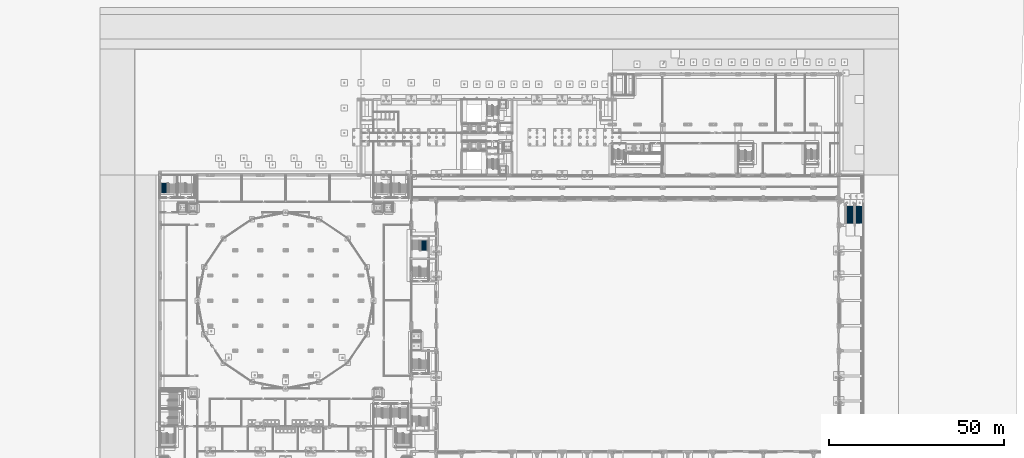
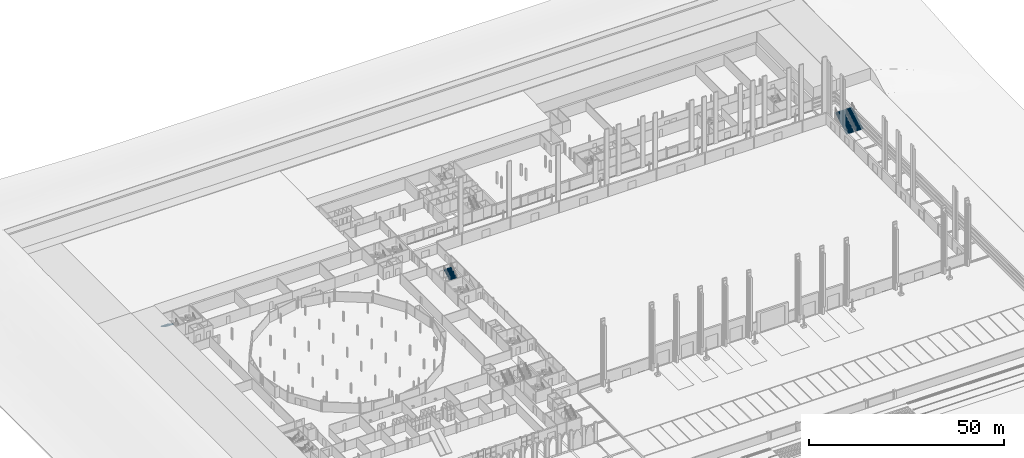
# One storey, part 101 of 148: 4 stair flights, 4 elements without a shape of their own.
"""IFC4 building model written with IfcOpenShell, lengths in metres."""

from ifc_helpers import new_model, si_unit, direction, frame, origin, place, context, subcontext, project, spatial, polyline, outline, extrude, material, type_object, element, aggregate, save


model = new_model("IFC4")

# Units and contexts
model_context = context("Model", 3, precision=1e-05, world=origin(), true_north=direction((0.0, 1.0)))
body_context = subcontext(model_context, "Body", "Model", "MODEL_VIEW")
ifc_project = project(units=[si_unit("LENGTHUNIT", "METRE"), si_unit("AREAUNIT", "SQUARE_METRE"), si_unit("VOLUMEUNIT", "CUBIC_METRE"), si_unit("PLANEANGLEUNIT", "RADIAN"), si_unit("MASSUNIT", "GRAM", prefix="KILO")], contexts=[model_context])

# Site, building, storey
site_placement = place(None, origin())
site = spatial("IfcSite", under=ifc_project, at=site_placement, CompositionType="ELEMENT")
building_placement = place(site_placement, origin())
building = spatial("IfcBuilding", under=site, at=building_placement, Name="Kupolbacken Congress Centre", CompositionType="ELEMENT")
storey_placement = place(building_placement, origin())
storey = spatial("IfcBuildingStorey", under=building, at=storey_placement, Name="L00", CompositionType="ELEMENT", Elevation=0.0)

# Stair, stair flight
ifc_material_1 = material(Name="Concrete C30/37", Category="concrete")
stair_type_1 = type_object("IfcStairType", Name="ST13 stair 2200", PredefinedType="TWO_STRAIGHT_RUN_STAIR", material=ifc_material_1)
stair_1_placement = place(storey_placement, origin())
stair_1 = element("IfcStair", 1, at=stair_1_placement, inside=storey, type_object=stair_type_1, Name="C/stair/PS1NW/L00", PredefinedType="NOTDEFINED")
ifc_material_2 = material(Name="Concrete C30/37", Category="concrete")
stair_flight_type_1 = type_object("IfcStairFlightType", Name="FL14 stair flight 2200 x 11 risers", PredefinedType="STRAIGHT", material=ifc_material_2)
stair_flight_1_placement = place(storey_placement, frame((8.5, 120.054931640625, 1.71435546875), z_axis=(0.0, 0.0, 1.0), x_axis=(0.0, -1.0, 0.0)))
stair_flight_1 = element("IfcStairFlight", 2, at=stair_flight_1_placement, type_object=stair_flight_type_1, Name="PS1NW flight 2", NumberOfRisers=11, NumberOfTreads=10, PredefinedType="STRAIGHT", RiserHeight=0.171428571, TreadLength=0.28, context=body_context, shape_type="SweptSolid", body=[
    extrude(outline(polyline([(0.0, 0.0), (0.0, 0.0009765625), (0.0, 0.002197265625), (0.0, 0.003173828125), (0.0, 0.004150390625), (0.0, 0.00537109375), (0.0, 0.00634765625), (0.0, 0.007568359375), (0.0, 0.008544921875), (0.0, 0.009521484375), (0.0, 0.0107421875), (0.0, 0.01171875), (0.0, 0.0126953125), (0.0, 0.013916015625), (0.0, 0.014892578125), (0.0, 0.015869140625), (0.0, 0.01708984375), (0.0, 0.01806640625), (0.0, 0.019287109375), (0.0, 0.020263671875), (0.0, 0.021240234375), (0.0, 0.0224609375), (0.0, 0.0234375), (0.0, 0.0244140625), (0.0, 0.025634765625), (0.0, 0.026611328125), (0.0, 0.027587890625), (0.0, 0.02880859375), (0.0, 0.02978515625), (0.0, 0.03076171875), (0.0, 0.031982421875), (0.0, 0.032958984375), (0.0, 0.0341796875), (0.0, 0.03515625), (0.0, 0.0361328125), (0.0, 0.037353515625), (0.0, 0.038330078125), (0.0, 0.039306640625), (0.0, 0.04052734375), (0.0, 0.04150390625), (0.0, 0.04248046875), (0.0, 0.043701171875), (0.0, 0.044677734375), (0.0, 0.0458984375), (0.0, 0.046875), (0.0, 0.0478515625), (0.0, 0.049072265625), (0.0, 0.050048828125), (0.0, 0.051025390625), (0.0, 0.05224609375), (0.0, 0.05322265625), (0.0, 0.05419921875), (0.0, 0.055419921875), (0.0, 0.056396484375), (0.0, 0.0576171875), (0.0, 0.05859375), (0.0, 0.0595703125), (0.0, 0.060791015625), (0.0, 0.061767578125), (0.0, 0.062744140625), (0.0, 0.06396484375), (0.0, 0.06494140625), (0.0, 0.06591796875), (0.0, 0.067138671875), (0.0, 0.068115234375), (0.0, 0.069091796875), (0.0, 0.0703125), (0.0, 0.0712890625), (0.0, 0.072509765625), (0.0, 0.073486328125), (0.0, 0.074462890625), (0.0, 0.07568359375), (0.0, 0.07666015625), (0.0, 0.07763671875), (0.0, 0.078857421875), (0.0, 0.079833984375), (0.0, 0.080810546875), (0.0, 0.08203125), (0.0, 0.0830078125), (0.0, 0.084228515625), (0.0, 0.085205078125), (0.0, 0.086181640625), (0.0, 0.08740234375), (0.0, 0.08837890625), (0.0, 0.08935546875), (0.0, 0.090576171875), (0.0, 0.091552734375), (0.0, 0.092529296875), (0.0, 0.09375), (0.0, 0.0947265625), (0.0, 0.095947265625), (0.0, 0.096923828125), (0.0, 0.097900390625), (0.0, 0.09912109375), (0.0, 0.10009765625), (0.0, 0.10107421875), (0.0, 0.102294921875), (0.0, 0.103271484375), (0.0, 0.104248046875), (0.0, 0.10546875), (0.0, 0.1064453125), (0.0, 0.107421875), (0.0, 0.108642578125), (0.0, 0.109619140625), (0.0, 0.11083984375), (0.0, 0.11181640625), (0.0, 0.11279296875), (0.0, 0.114013671875), (0.0, 0.114990234375), (0.0, 0.115966796875), (0.0, 0.1171875), (0.0, 0.1181640625), (0.0, 0.119140625), (0.0, 0.120361328125), (0.0, 0.121337890625), (0.0, 0.12255859375), (0.0, 0.12353515625), (0.0, 0.12451171875), (0.0, 0.125732421875), (0.0, 0.126708984375), (0.0, 0.127685546875), (0.0, 0.12890625), (0.0, 0.1298828125), (0.0, 0.130859375), (0.0, 0.132080078125), (0.0, 0.133056640625), (0.0, 0.13427734375), (0.0, 0.13525390625), (0.0, 0.13623046875), (0.0, 0.137451171875), (0.0, 0.138427734375), (0.0, 0.139404296875), (0.0, 0.140625), (0.0, 0.1416015625), (0.0, 0.142578125), (0.0, 0.143798828125), (0.0, 0.144775390625), (0.0, 0.145751953125), (0.0, 0.14697265625), (0.0, 0.14794921875), (0.0, 0.149169921875), (0.0, 0.150146484375), (0.0, 0.151123046875), (0.0, 0.15234375), (0.0, 0.1533203125), (0.0, 0.154296875), (0.0, 0.155517578125), (0.0, 0.156494140625), (0.0, 0.157470703125), (0.0, 0.15869140625), (0.0, 0.15966796875), (0.0, 0.160888671875), (0.0, 0.161865234375), (0.0, 0.162841796875), (0.0, 0.1640625), (0.0, 0.1650390625), (0.0, 0.166015625), (0.0, 0.167236328125), (0.0, 0.168212890625), (0.0, 0.169189453125), (0.0, 0.17041015625), (0.0, 0.17138671875), (0.280029296875, 0.17138671875), (0.280029296875, 0.3427734375), (0.56005859375, 0.3427734375), (0.56005859375, 0.514404296875), (0.840087890625, 0.514404296875), (0.840087890625, 0.685791015625), (1.1201171875, 0.685791015625), (1.1201171875, 0.857177734375), (1.39990234375, 0.857177734375), (1.39990234375, 1.028564453125), (1.679931640625, 1.028564453125), (1.679931640625, 1.199951171875), (1.9599609375, 1.199951171875), (1.9599609375, 1.371337890625), (2.239990234375, 1.371337890625), (2.239990234375, 1.54296875), (2.52001953125, 1.54296875), (2.52001953125, 1.71435546875), (2.800048828125, 1.71435546875), (2.800048828125, 1.8857421875), (2.802001953125, 1.8857421875), (2.802001953125, 1.883544921875), (2.802001953125, 1.88134765625), (2.802001953125, 1.879150390625), (2.802001953125, 1.877197265625), (2.802001953125, 1.875), (2.802001953125, 1.872802734375), (2.802001953125, 1.87060546875), (2.802001953125, 1.868408203125), (2.802001953125, 1.8662109375), (2.802001953125, 1.8642578125), (2.802001953125, 1.862060546875), (2.802001953125, 1.85986328125), (2.802001953125, 1.857666015625), (2.802001953125, 1.85546875), (2.802001953125, 1.853271484375), (2.802001953125, 1.851318359375), (2.802001953125, 1.84912109375), (2.802001953125, 1.846923828125), (2.802001953125, 1.8447265625), (2.802001953125, 1.842529296875), (2.802001953125, 1.84033203125), (2.802001953125, 1.83837890625), (2.802001953125, 1.836181640625), (2.802001953125, 1.833984375), (2.802001953125, 1.831787109375), (2.802001953125, 1.82958984375), (2.802001953125, 1.827392578125), (2.802001953125, 1.825439453125), (2.802001953125, 1.8232421875), (2.802001953125, 1.821044921875), (2.802001953125, 1.81884765625), (2.802001953125, 1.816650390625), (2.802001953125, 1.814453125), (2.802001953125, 1.8125), (2.802001953125, 1.810302734375), (2.802001953125, 1.80810546875), (2.802001953125, 1.805908203125), (2.802001953125, 1.8037109375), (2.802001953125, 1.801513671875), (2.802001953125, 1.799560546875), (2.802001953125, 1.79736328125), (2.802001953125, 1.795166015625), (2.802001953125, 1.79296875), (2.802001953125, 1.790771484375), (2.802001953125, 1.78857421875), (2.802001953125, 1.78662109375), (2.802001953125, 1.784423828125), (2.802001953125, 1.7822265625), (2.802001953125, 1.780029296875), (2.802001953125, 1.77783203125), (2.802001953125, 1.775634765625), (2.802001953125, 1.773681640625), (2.802001953125, 1.771484375), (2.802001953125, 1.769287109375), (2.802001953125, 1.76708984375), (2.802001953125, 1.764892578125), (2.802001953125, 1.7626953125), (2.802001953125, 1.7607421875), (2.802001953125, 1.758544921875), (2.802001953125, 1.75634765625), (2.802001953125, 1.754150390625), (2.802001953125, 1.751953125), (2.802001953125, 1.749755859375), (2.802001953125, 1.747802734375), (2.802001953125, 1.74560546875), (2.802001953125, 1.743408203125), (2.802001953125, 1.7412109375), (2.802001953125, 1.739013671875), (2.802001953125, 1.73681640625), (2.802001953125, 1.73486328125), (2.802001953125, 1.732666015625), (2.802001953125, 1.73046875), (2.802001953125, 1.728271484375), (2.802001953125, 1.72607421875), (2.802001953125, 1.723876953125), (2.802001953125, 1.721923828125), (2.802001953125, 1.7197265625), (2.802001953125, 1.717529296875), (2.802001953125, 1.71533203125), (2.802001953125, 1.713134765625), (2.802001953125, 1.7109375), (2.802001953125, 1.708984375), (2.802001953125, 1.706787109375), (2.802001953125, 1.70458984375), (2.802001953125, 1.702392578125), (2.802001953125, 1.7001953125), (2.802001953125, 1.697998046875), (2.802001953125, 1.696044921875), (2.802001953125, 1.69384765625), (2.802001953125, 1.691650390625), (2.802001953125, 1.689453125), (2.802001953125, 1.687255859375), (2.802001953125, 1.68505859375), (2.802001953125, 1.68310546875), (2.802001953125, 1.680908203125), (2.802001953125, 1.6787109375), (2.802001953125, 1.676513671875), (2.802001953125, 1.67431640625), (2.802001953125, 1.672119140625), (2.802001953125, 1.670166015625), (2.802001953125, 1.66796875), (2.802001953125, 1.665771484375), (2.802001953125, 1.66357421875), (2.802001953125, 1.661376953125), (2.802001953125, 1.6591796875), (2.802001953125, 1.6572265625), (2.802001953125, 1.655029296875), (2.802001953125, 1.65283203125), (2.802001953125, 1.650634765625), (2.802001953125, 1.6484375), (2.802001953125, 1.646240234375), (2.802001953125, 1.644287109375), (2.802001953125, 1.64208984375), (2.802001953125, 1.639892578125), (2.802001953125, 1.6376953125), (2.802001953125, 1.635498046875), (2.802001953125, 1.63330078125), (2.802001953125, 1.63134765625), (2.802001953125, 1.629150390625), (2.802001953125, 1.626953125), (2.802001953125, 1.624755859375), (2.802001953125, 1.62255859375), (2.802001953125, 1.620361328125), (2.802001953125, 1.618408203125), (2.802001953125, 1.6162109375), (2.802001953125, 1.614013671875), (2.802001953125, 1.61181640625), (2.802001953125, 1.609619140625), (2.802001953125, 1.607421875), (2.802001953125, 1.60546875), (2.802001953125, 1.603271484375), (2.802001953125, 1.60107421875), (2.802001953125, 1.598876953125), (2.802001953125, 1.5966796875), (2.802001953125, 1.594482421875), (2.802001953125, 1.592529296875), (2.802001953125, 1.59033203125), (2.802001953125, 1.588134765625), (2.802001953125, 1.5859375), (2.802001953125, 1.583740234375), (2.802001953125, 1.58154296875), (2.802001953125, 1.57958984375), (2.802001953125, 1.577392578125), (2.802001953125, 1.5751953125), (2.802001953125, 1.572998046875), (2.802001953125, 1.57080078125), (2.802001953125, 1.568603515625), (2.802001953125, 1.566650390625), (2.802001953125, 1.564453125), (2.802001953125, 1.562255859375), (2.802001953125, 1.56005859375), (2.802001953125, 1.557861328125), (2.802001953125, 1.5556640625), (2.802001953125, 1.5537109375), (2.802001953125, 1.551513671875), (2.802001953125, 1.54931640625), (2.802001953125, 1.547119140625), (2.802001953125, 1.544921875), (2.802001953125, 1.542724609375), (2.802001953125, 1.540771484375), (2.802001953125, 1.53857421875), (0.2890625, 0.0), (0.0, 0.0)])), frame((0.0, 1.10009765625, 0.0), z_axis=(0.0, -1.0, 0.0), x_axis=(1.0, 0.0, 0.0)), (0.0, 0.0, 1.0), 2.199951171875),
])
aggregate(stair_1, [stair_flight_1])

stair_2_placement = place(storey_placement, origin())
stair_2 = element("IfcStair", 3, at=stair_2_placement, inside=storey, type_object=stair_type_1, Name="C/stair/LS2/L00", PredefinedType="NOTDEFINED")
stair_flight_2_placement = place(storey_placement, frame((82.89990234375, 100.77001953125, 1.71435546875), z_axis=(0.0, 0.0, 1.0), x_axis=(0.0, 1.0, 0.0)))
stair_flight_2 = element("IfcStairFlight", 4, at=stair_flight_2_placement, type_object=stair_flight_type_1, Name="LS2 flight 2", NumberOfRisers=11, NumberOfTreads=10, PredefinedType="STRAIGHT", RiserHeight=0.171428571, TreadLength=0.28, context=body_context, shape_type="SweptSolid", body=[
    extrude(outline(polyline([(0.0, 0.0), (0.0, 0.0009765625), (0.0, 0.002197265625), (0.0, 0.003173828125), (0.0, 0.004150390625), (0.0, 0.00537109375), (0.0, 0.00634765625), (0.0, 0.007568359375), (0.0, 0.008544921875), (0.0, 0.009521484375), (0.0, 0.0107421875), (0.0, 0.01171875), (0.0, 0.0126953125), (0.0, 0.013916015625), (0.0, 0.014892578125), (0.0, 0.015869140625), (0.0, 0.01708984375), (0.0, 0.01806640625), (0.0, 0.019287109375), (0.0, 0.020263671875), (0.0, 0.021240234375), (0.0, 0.0224609375), (0.0, 0.0234375), (0.0, 0.0244140625), (0.0, 0.025634765625), (0.0, 0.026611328125), (0.0, 0.027587890625), (0.0, 0.02880859375), (0.0, 0.02978515625), (0.0, 0.03076171875), (0.0, 0.031982421875), (0.0, 0.032958984375), (0.0, 0.0341796875), (0.0, 0.03515625), (0.0, 0.0361328125), (0.0, 0.037353515625), (0.0, 0.038330078125), (0.0, 0.039306640625), (0.0, 0.04052734375), (0.0, 0.04150390625), (0.0, 0.04248046875), (0.0, 0.043701171875), (0.0, 0.044677734375), (0.0, 0.0458984375), (0.0, 0.046875), (0.0, 0.0478515625), (0.0, 0.049072265625), (0.0, 0.050048828125), (0.0, 0.051025390625), (0.0, 0.05224609375), (0.0, 0.05322265625), (0.0, 0.05419921875), (0.0, 0.055419921875), (0.0, 0.056396484375), (0.0, 0.0576171875), (0.0, 0.05859375), (0.0, 0.0595703125), (0.0, 0.060791015625), (0.0, 0.061767578125), (0.0, 0.062744140625), (0.0, 0.06396484375), (0.0, 0.06494140625), (0.0, 0.06591796875), (0.0, 0.067138671875), (0.0, 0.068115234375), (0.0, 0.069091796875), (0.0, 0.0703125), (0.0, 0.0712890625), (0.0, 0.072509765625), (0.0, 0.073486328125), (0.0, 0.074462890625), (0.0, 0.07568359375), (0.0, 0.07666015625), (0.0, 0.07763671875), (0.0, 0.078857421875), (0.0, 0.079833984375), (0.0, 0.080810546875), (0.0, 0.08203125), (0.0, 0.0830078125), (0.0, 0.084228515625), (0.0, 0.085205078125), (0.0, 0.086181640625), (0.0, 0.08740234375), (0.0, 0.08837890625), (0.0, 0.08935546875), (0.0, 0.090576171875), (0.0, 0.091552734375), (0.0, 0.092529296875), (0.0, 0.09375), (0.0, 0.0947265625), (0.0, 0.095947265625), (0.0, 0.096923828125), (0.0, 0.097900390625), (0.0, 0.09912109375), (0.0, 0.10009765625), (0.0, 0.10107421875), (0.0, 0.102294921875), (0.0, 0.103271484375), (0.0, 0.104248046875), (0.0, 0.10546875), (0.0, 0.1064453125), (0.0, 0.107421875), (0.0, 0.108642578125), (0.0, 0.109619140625), (0.0, 0.11083984375), (0.0, 0.11181640625), (0.0, 0.11279296875), (0.0, 0.114013671875), (0.0, 0.114990234375), (0.0, 0.115966796875), (0.0, 0.1171875), (0.0, 0.1181640625), (0.0, 0.119140625), (0.0, 0.120361328125), (0.0, 0.121337890625), (0.0, 0.12255859375), (0.0, 0.12353515625), (0.0, 0.12451171875), (0.0, 0.125732421875), (0.0, 0.126708984375), (0.0, 0.127685546875), (0.0, 0.12890625), (0.0, 0.1298828125), (0.0, 0.130859375), (0.0, 0.132080078125), (0.0, 0.133056640625), (0.0, 0.13427734375), (0.0, 0.13525390625), (0.0, 0.13623046875), (0.0, 0.137451171875), (0.0, 0.138427734375), (0.0, 0.139404296875), (0.0, 0.140625), (0.0, 0.1416015625), (0.0, 0.142578125), (0.0, 0.143798828125), (0.0, 0.144775390625), (0.0, 0.145751953125), (0.0, 0.14697265625), (0.0, 0.14794921875), (0.0, 0.149169921875), (0.0, 0.150146484375), (0.0, 0.151123046875), (0.0, 0.15234375), (0.0, 0.1533203125), (0.0, 0.154296875), (0.0, 0.155517578125), (0.0, 0.156494140625), (0.0, 0.157470703125), (0.0, 0.15869140625), (0.0, 0.15966796875), (0.0, 0.160888671875), (0.0, 0.161865234375), (0.0, 0.162841796875), (0.0, 0.1640625), (0.0, 0.1650390625), (0.0, 0.166015625), (0.0, 0.167236328125), (0.0, 0.168212890625), (0.0, 0.169189453125), (0.0, 0.17041015625), (0.0, 0.17138671875), (0.280029296875, 0.17138671875), (0.280029296875, 0.3427734375), (0.56005859375, 0.3427734375), (0.56005859375, 0.514404296875), (0.840087890625, 0.514404296875), (0.840087890625, 0.685791015625), (1.1201171875, 0.685791015625), (1.1201171875, 0.857177734375), (1.39990234375, 0.857177734375), (1.39990234375, 1.028564453125), (1.679931640625, 1.028564453125), (1.679931640625, 1.199951171875), (1.9599609375, 1.199951171875), (1.9599609375, 1.371337890625), (2.239990234375, 1.371337890625), (2.239990234375, 1.54296875), (2.52001953125, 1.54296875), (2.52001953125, 1.71435546875), (2.800048828125, 1.71435546875), (2.800048828125, 1.8857421875), (2.802001953125, 1.8857421875), (2.802001953125, 1.883544921875), (2.802001953125, 1.88134765625), (2.802001953125, 1.879150390625), (2.802001953125, 1.877197265625), (2.802001953125, 1.875), (2.802001953125, 1.872802734375), (2.802001953125, 1.87060546875), (2.802001953125, 1.868408203125), (2.802001953125, 1.8662109375), (2.802001953125, 1.8642578125), (2.802001953125, 1.862060546875), (2.802001953125, 1.85986328125), (2.802001953125, 1.857666015625), (2.802001953125, 1.85546875), (2.802001953125, 1.853271484375), (2.802001953125, 1.851318359375), (2.802001953125, 1.84912109375), (2.802001953125, 1.846923828125), (2.802001953125, 1.8447265625), (2.802001953125, 1.842529296875), (2.802001953125, 1.84033203125), (2.802001953125, 1.83837890625), (2.802001953125, 1.836181640625), (2.802001953125, 1.833984375), (2.802001953125, 1.831787109375), (2.802001953125, 1.82958984375), (2.802001953125, 1.827392578125), (2.802001953125, 1.825439453125), (2.802001953125, 1.8232421875), (2.802001953125, 1.821044921875), (2.802001953125, 1.81884765625), (2.802001953125, 1.816650390625), (2.802001953125, 1.814453125), (2.802001953125, 1.8125), (2.802001953125, 1.810302734375), (2.802001953125, 1.80810546875), (2.802001953125, 1.805908203125), (2.802001953125, 1.8037109375), (2.802001953125, 1.801513671875), (2.802001953125, 1.799560546875), (2.802001953125, 1.79736328125), (2.802001953125, 1.795166015625), (2.802001953125, 1.79296875), (2.802001953125, 1.790771484375), (2.802001953125, 1.78857421875), (2.802001953125, 1.78662109375), (2.802001953125, 1.784423828125), (2.802001953125, 1.7822265625), (2.802001953125, 1.780029296875), (2.802001953125, 1.77783203125), (2.802001953125, 1.775634765625), (2.802001953125, 1.773681640625), (2.802001953125, 1.771484375), (2.802001953125, 1.769287109375), (2.802001953125, 1.76708984375), (2.802001953125, 1.764892578125), (2.802001953125, 1.7626953125), (2.802001953125, 1.7607421875), (2.802001953125, 1.758544921875), (2.802001953125, 1.75634765625), (2.802001953125, 1.754150390625), (2.802001953125, 1.751953125), (2.802001953125, 1.749755859375), (2.802001953125, 1.747802734375), (2.802001953125, 1.74560546875), (2.802001953125, 1.743408203125), (2.802001953125, 1.7412109375), (2.802001953125, 1.739013671875), (2.802001953125, 1.73681640625), (2.802001953125, 1.73486328125), (2.802001953125, 1.732666015625), (2.802001953125, 1.73046875), (2.802001953125, 1.728271484375), (2.802001953125, 1.72607421875), (2.802001953125, 1.723876953125), (2.802001953125, 1.721923828125), (2.802001953125, 1.7197265625), (2.802001953125, 1.717529296875), (2.802001953125, 1.71533203125), (2.802001953125, 1.713134765625), (2.802001953125, 1.7109375), (2.802001953125, 1.708984375), (2.802001953125, 1.706787109375), (2.802001953125, 1.70458984375), (2.802001953125, 1.702392578125), (2.802001953125, 1.7001953125), (2.802001953125, 1.697998046875), (2.802001953125, 1.696044921875), (2.802001953125, 1.69384765625), (2.802001953125, 1.691650390625), (2.802001953125, 1.689453125), (2.802001953125, 1.687255859375), (2.802001953125, 1.68505859375), (2.802001953125, 1.68310546875), (2.802001953125, 1.680908203125), (2.802001953125, 1.6787109375), (2.802001953125, 1.676513671875), (2.802001953125, 1.67431640625), (2.802001953125, 1.672119140625), (2.802001953125, 1.670166015625), (2.802001953125, 1.66796875), (2.802001953125, 1.665771484375), (2.802001953125, 1.66357421875), (2.802001953125, 1.661376953125), (2.802001953125, 1.6591796875), (2.802001953125, 1.6572265625), (2.802001953125, 1.655029296875), (2.802001953125, 1.65283203125), (2.802001953125, 1.650634765625), (2.802001953125, 1.6484375), (2.802001953125, 1.646240234375), (2.802001953125, 1.644287109375), (2.802001953125, 1.64208984375), (2.802001953125, 1.639892578125), (2.802001953125, 1.6376953125), (2.802001953125, 1.635498046875), (2.802001953125, 1.63330078125), (2.802001953125, 1.63134765625), (2.802001953125, 1.629150390625), (2.802001953125, 1.626953125), (2.802001953125, 1.624755859375), (2.802001953125, 1.62255859375), (2.802001953125, 1.620361328125), (2.802001953125, 1.618408203125), (2.802001953125, 1.6162109375), (2.802001953125, 1.614013671875), (2.802001953125, 1.61181640625), (2.802001953125, 1.609619140625), (2.802001953125, 1.607421875), (2.802001953125, 1.60546875), (2.802001953125, 1.603271484375), (2.802001953125, 1.60107421875), (2.802001953125, 1.598876953125), (2.802001953125, 1.5966796875), (2.802001953125, 1.594482421875), (2.802001953125, 1.592529296875), (2.802001953125, 1.59033203125), (2.802001953125, 1.588134765625), (2.802001953125, 1.5859375), (2.802001953125, 1.583740234375), (2.802001953125, 1.58154296875), (2.802001953125, 1.57958984375), (2.802001953125, 1.577392578125), (2.802001953125, 1.5751953125), (2.802001953125, 1.572998046875), (2.802001953125, 1.57080078125), (2.802001953125, 1.568603515625), (2.802001953125, 1.566650390625), (2.802001953125, 1.564453125), (2.802001953125, 1.562255859375), (2.802001953125, 1.56005859375), (2.802001953125, 1.557861328125), (2.802001953125, 1.5556640625), (2.802001953125, 1.5537109375), (2.802001953125, 1.551513671875), (2.802001953125, 1.54931640625), (2.802001953125, 1.547119140625), (2.802001953125, 1.544921875), (2.802001953125, 1.542724609375), (2.802001953125, 1.540771484375), (2.802001953125, 1.53857421875), (0.2890625, 0.0), (0.0, 0.0)])), frame((0.0, 1.10009765625, 0.0), z_axis=(0.0, -1.0, 0.0), x_axis=(1.0, 0.0, 0.0)), (0.0, 0.0, 1.0), 2.199951171875),
])
aggregate(stair_2, [stair_flight_2])

ifc_material_3 = material(Name="Steel S355", Category="steel")
stair_type_2 = type_object("IfcStairType", Name="ST4 stair 2400", PredefinedType="STRAIGHT_RUN_STAIR", material=ifc_material_3)
stair_3_placement = place(storey_placement, origin())
stair_3 = element("IfcStair", 5, at=stair_3_placement, inside=storey, type_object=stair_type_2, Name="External stair XS2", PredefinedType="STRAIGHT_RUN_STAIR")
ifc_material_4 = material(Name="Steel S355", Category="steel")
stair_flight_type_2 = type_object("IfcStairFlightType", Name="FL7 stair flight 2400 x 21 risers", PredefinedType="STRAIGHT", material=ifc_material_4)
stair_flight_3_placement = place(storey_placement, frame((204.89990234375, 108.550048828125, 0.0), z_axis=(0.0, 0.0, 1.0), x_axis=(0.0, 1.0, 0.0)))
stair_flight_3 = element("IfcStairFlight", 6, at=stair_flight_3_placement, type_object=stair_flight_type_2, Name="ST4 flight 1", NumberOfRisers=21, NumberOfTreads=20, PredefinedType="STRAIGHT", RiserHeight=0.1714, TreadLength=0.28, context=body_context, shape_type="SweptSolid", body=[
    extrude(outline(polyline([(0.0, 0.0), (0.0, 0.01318359375), (0.0, 0.0263671875), (0.0, 0.03955078125), (0.0, 0.052734375), (0.0, 0.06591796875), (0.0, 0.0791015625), (0.0, 0.09228515625), (0.0, 0.10546875), (0.0, 0.11865234375), (0.0, 0.1318359375), (0.0, 0.14501953125), (0.0, 0.158203125), (0.0, 0.17138671875), (0.280029296875, 0.17138671875), (0.280029296875, 0.3427734375), (0.56005859375, 0.3427734375), (0.56005859375, 0.51416015625), (0.840087890625, 0.51416015625), (0.840087890625, 0.685546875), (1.1201171875, 0.685546875), (1.1201171875, 0.85693359375), (1.39990234375, 0.85693359375), (1.39990234375, 1.0283203125), (1.679931640625, 1.0283203125), (1.679931640625, 1.19970703125), (1.9599609375, 1.19970703125), (1.9599609375, 1.37109375), (2.239990234375, 1.37109375), (2.239990234375, 1.54248046875), (2.52001953125, 1.54248046875), (2.52001953125, 1.714111328125), (2.800048828125, 1.714111328125), (2.800048828125, 1.885498046875), (3.080078125, 1.885498046875), (3.080078125, 2.056884765625), (3.360107421875, 2.056884765625), (3.360107421875, 2.228271484375), (3.639892578125, 2.228271484375), (3.639892578125, 2.399658203125), (3.919921875, 2.399658203125), (3.919921875, 2.571044921875), (4.199951171875, 2.571044921875), (4.199951171875, 2.742431640625), (4.47998046875, 2.742431640625), (4.47998046875, 2.913818359375), (4.760009765625, 2.913818359375), (4.760009765625, 3.085205078125), (5.0400390625, 3.085205078125), (5.0400390625, 3.256591796875), (5.320068359375, 3.256591796875), (5.320068359375, 3.427978515625), (5.60009765625, 3.427978515625), (5.60009765625, 3.599365234375), (5.60205078125, 3.599365234375), (5.60205078125, 3.568115234375), (5.60205078125, 3.536865234375), (5.60205078125, 3.505859375), (5.60205078125, 3.474609375), (5.60205078125, 3.443359375), (5.60205078125, 3.412109375), (5.60205078125, 3.380859375), (5.60205078125, 3.349609375), (5.60205078125, 3.318359375), (5.60205078125, 3.287109375), (5.60205078125, 3.256103515625), (5.60205078125, 3.224853515625), (5.60205078125, 3.193603515625), (0.385009765625, 0.0), (0.0, 0.0)])), frame((0.0, 1.199951171875, 0.0), z_axis=(0.0, -1.0, 0.0), x_axis=(1.0, 0.0, 0.0)), (0.0, 0.0, 1.0), 2.39990234375),
])
aggregate(stair_3, [stair_flight_3])

stair_4_placement = place(storey_placement, origin())
stair_4 = element("IfcStair", 7, at=stair_4_placement, inside=storey, type_object=stair_type_2, Name="External stair XS3", PredefinedType="STRAIGHT_RUN_STAIR")
stair_flight_4_placement = place(storey_placement, frame((207.5, 108.550048828125, 0.0), z_axis=(0.0, 0.0, 1.0), x_axis=(0.0, 1.0, 0.0)))
stair_flight_4 = element("IfcStairFlight", 8, at=stair_flight_4_placement, type_object=stair_flight_type_2, Name="ST4 flight 1", NumberOfRisers=21, NumberOfTreads=20, PredefinedType="STRAIGHT", RiserHeight=0.1714, TreadLength=0.28, context=body_context, shape_type="SweptSolid", body=[
    extrude(outline(polyline([(0.0, 0.0), (0.0, 0.01318359375), (0.0, 0.0263671875), (0.0, 0.03955078125), (0.0, 0.052734375), (0.0, 0.06591796875), (0.0, 0.0791015625), (0.0, 0.09228515625), (0.0, 0.10546875), (0.0, 0.11865234375), (0.0, 0.1318359375), (0.0, 0.14501953125), (0.0, 0.158203125), (0.0, 0.17138671875), (0.280029296875, 0.17138671875), (0.280029296875, 0.3427734375), (0.56005859375, 0.3427734375), (0.56005859375, 0.51416015625), (0.840087890625, 0.51416015625), (0.840087890625, 0.685546875), (1.1201171875, 0.685546875), (1.1201171875, 0.85693359375), (1.39990234375, 0.85693359375), (1.39990234375, 1.0283203125), (1.679931640625, 1.0283203125), (1.679931640625, 1.19970703125), (1.9599609375, 1.19970703125), (1.9599609375, 1.37109375), (2.239990234375, 1.37109375), (2.239990234375, 1.54248046875), (2.52001953125, 1.54248046875), (2.52001953125, 1.714111328125), (2.800048828125, 1.714111328125), (2.800048828125, 1.885498046875), (3.080078125, 1.885498046875), (3.080078125, 2.056884765625), (3.360107421875, 2.056884765625), (3.360107421875, 2.228271484375), (3.639892578125, 2.228271484375), (3.639892578125, 2.399658203125), (3.919921875, 2.399658203125), (3.919921875, 2.571044921875), (4.199951171875, 2.571044921875), (4.199951171875, 2.742431640625), (4.47998046875, 2.742431640625), (4.47998046875, 2.913818359375), (4.760009765625, 2.913818359375), (4.760009765625, 3.085205078125), (5.0400390625, 3.085205078125), (5.0400390625, 3.256591796875), (5.320068359375, 3.256591796875), (5.320068359375, 3.427978515625), (5.60009765625, 3.427978515625), (5.60009765625, 3.599365234375), (5.60205078125, 3.599365234375), (5.60205078125, 3.568115234375), (5.60205078125, 3.536865234375), (5.60205078125, 3.505859375), (5.60205078125, 3.474609375), (5.60205078125, 3.443359375), (5.60205078125, 3.412109375), (5.60205078125, 3.380859375), (5.60205078125, 3.349609375), (5.60205078125, 3.318359375), (5.60205078125, 3.287109375), (5.60205078125, 3.256103515625), (5.60205078125, 3.224853515625), (5.60205078125, 3.193603515625), (0.385009765625, 0.0), (0.0, 0.0)])), frame((0.0, 1.199951171875, 0.0), z_axis=(0.0, -1.0, 0.0), x_axis=(1.0, 0.0, 0.0)), (0.0, 0.0, 1.0), 2.39990234375),
])
aggregate(stair_4, [stair_flight_4])

save(model, "model.ifc")
